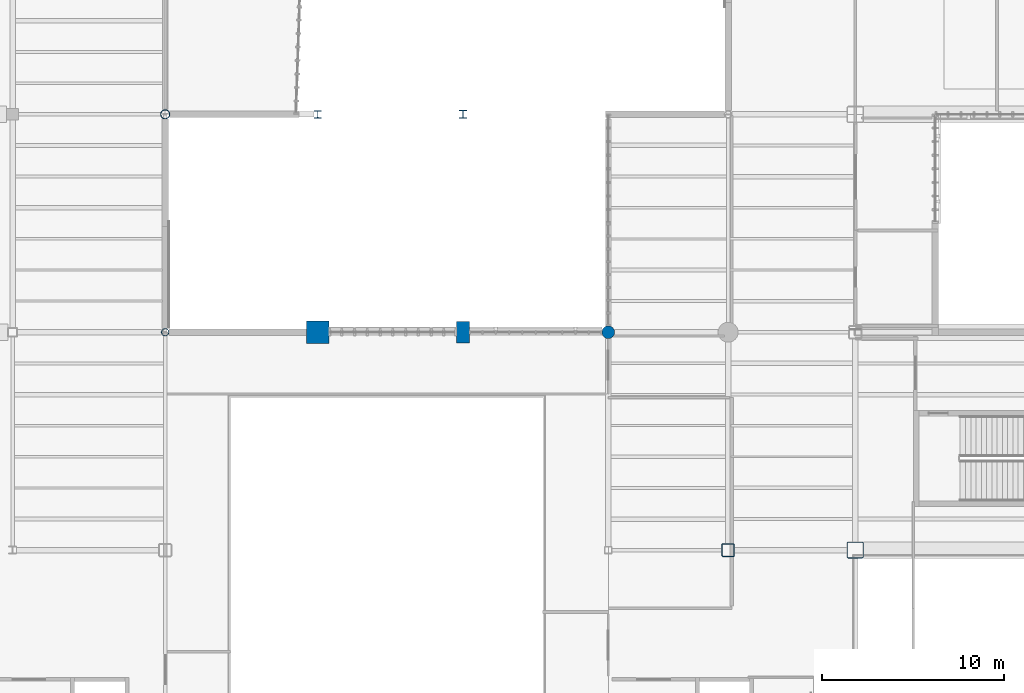
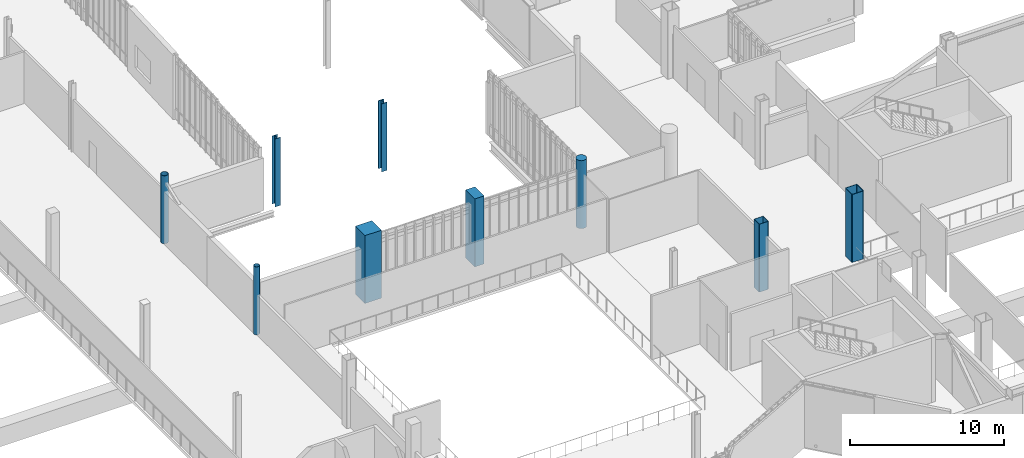
# One storey, part 7 of 127: 9 columns.
"""IFC4 building model written with IfcOpenShell, lengths in metres."""

from ifc_helpers import new_model, si_unit, direction, frame, origin, origin_2d, place, context, subcontext, project, spatial, rectangle, hollow_rectangle, circle, hollow_circle, i_section, extrude, material, material_profile, profile_set, type_object, element, save


model = new_model("IFC4")

# Units and contexts
model_context = context("Model", 3, precision=1e-05, world=origin(), true_north=direction((0.0, 1.0)))
body_context = subcontext(model_context, "Body", "Model", "MODEL_VIEW")
ifc_project = project(units=[si_unit("LENGTHUNIT", "METRE"), si_unit("AREAUNIT", "SQUARE_METRE"), si_unit("VOLUMEUNIT", "CUBIC_METRE"), si_unit("PLANEANGLEUNIT", "RADIAN"), si_unit("MASSUNIT", "GRAM", prefix="KILO")], contexts=[model_context])

# Site, building, storey
site_placement = place(None, origin())
site = spatial("IfcSite", under=ifc_project, at=site_placement, CompositionType="ELEMENT")
building_placement = place(site_placement, origin())
building = spatial("IfcBuilding", under=site, at=building_placement, Name="Larkvane Passage Sports Hall", CompositionType="ELEMENT")
storey_placement = place(building_placement, frame((0.0, 0.0, 5.39990234375)))
storey = spatial("IfcBuildingStorey", under=building, at=storey_placement, Name="L01", CompositionType="ELEMENT", Elevation=5.39990234375)

# Columns
ifc_material_1 = material(Name="Concrete C40/50", Category="concrete")
ifc_material_profile_1 = material_profile(ifc_material_1, circle(Radius=0.35009765625, at=origin_2d()), Name="RC-CIR-700")
ifc_profile_set_1 = profile_set([ifc_material_profile_1], Name="Concrete C40/50")
column_type_1 = type_object("IfcColumnType", Name="COL-CIR-700", PredefinedType="COLUMN", material=ifc_profile_set_1)
column_1_placement = place(storey_placement, frame((118.0, 51.60009765625, 0.0), z_axis=(0.0, 0.0, 1.0), x_axis=(1.0, 0.0, 0.0)))
element("IfcColumn", 1, at=column_1_placement, inside=storey, type_object=column_type_1, Name="Column 16/G L01", PredefinedType="COLUMN", context=body_context, shape_type="SweptSolid", body=[
    extrude(circle(Radius=0.35009765625, at=origin_2d()), origin(), (0.0, 0.0, 1.0), 5.400146484375),
])
ifc_material_2 = material(Name="Concrete C50/60", Category="concrete")
ifc_material_profile_2 = material_profile(ifc_material_2, rectangle(XDim=1.25, YDim=1.25, at=origin_2d()), Name="RC-COL-1250x1250")
ifc_profile_set_2 = profile_set([ifc_material_profile_2], Name="Concrete C50/60")
column_type_2 = type_object("IfcColumnType", Name="COL-RC-1250", PredefinedType="COLUMN", material=ifc_profile_set_2)
column_2_placement = place(storey_placement, frame((102.0, 51.60009765625, 0.0), z_axis=(0.0, 0.0, 1.0), x_axis=(1.0, 0.0, 0.0)))
element("IfcColumn", 2, at=column_2_placement, inside=storey, type_object=column_type_2, Name="Column 14/G L01", PredefinedType="COLUMN", context=body_context, shape_type="SweptSolid", body=[
    extrude(rectangle(XDim=1.25, YDim=1.25, at=origin_2d()), origin(), (0.0, 0.0, 1.0), 5.400146484375),
])
ifc_material_profile_3 = material_profile(ifc_material_2, rectangle(XDim=0.699951171875, YDim=1.199951171875, at=origin_2d()), Name="RC-COL-700x1200")
ifc_profile_set_3 = profile_set([ifc_material_profile_3], Name="Concrete C50/60")
column_type_3 = type_object("IfcColumnType", Name="COL-RC-700x1200", PredefinedType="COLUMN", material=ifc_profile_set_3)
column_3_placement = place(storey_placement, frame((110.0, 51.60009765625, 0.0), z_axis=(0.0, 0.0, 1.0), x_axis=(1.0, 0.0, 0.0)))
element("IfcColumn", 3, at=column_3_placement, inside=storey, type_object=column_type_3, Name="Column 15/G L01", PredefinedType="COLUMN", context=body_context, shape_type="SweptSolid", body=[
    extrude(rectangle(XDim=0.699951171875, YDim=1.199951171875, at=origin_2d()), origin(), (0.0, 0.0, 1.0), 5.400146484375),
])
ifc_material_3 = material(Name="Steel S460N", Category="steel")
ifc_material_profile_4 = material_profile(ifc_material_3, hollow_rectangle(XDim=0.699951171875, YDim=0.699951171875, WallThickness=0.028076171875, InnerFilletRadius=0.028076171875, OuterFilletRadius=0.055908203125, at=origin_2d()), Name="BOX-700x700x28")
ifc_profile_set_4 = profile_set([ifc_material_profile_4], Name="Steel S460N")
column_type_4 = type_object("IfcColumnType", Name="COL-STL-BOX700", PredefinedType="COLUMN", material=ifc_profile_set_4)
column_4_placement = place(storey_placement, frame((124.60009765625, 39.60009765625, 0.0), z_axis=(0.0, 0.0, 1.0), x_axis=(1.0, 0.0, 0.0)))
element("IfcColumn", 4, at=column_4_placement, inside=storey, type_object=column_type_4, Name="Column 17/F L01", PredefinedType="COLUMN", context=body_context, shape_type="SweptSolid", body=[
    extrude(hollow_rectangle(XDim=0.699951171875, YDim=0.699951171875, WallThickness=0.028076171875, InnerFilletRadius=0.028076171875, OuterFilletRadius=0.055908203125, at=origin_2d()), origin(), (0.0, 0.0, 1.0), 5.400146484375),
])
ifc_material_profile_5 = material_profile(ifc_material_3, hollow_rectangle(XDim=0.89990234375, YDim=0.89990234375, WallThickness=0.035888671875, InnerFilletRadius=0.035888671875, OuterFilletRadius=0.072021484375, at=origin_2d()), Name="BOX-900x900x36")
ifc_profile_set_5 = profile_set([ifc_material_profile_5], Name="Steel S460N")
column_type_5 = type_object("IfcColumnType", Name="COL-STL-BOX900", PredefinedType="COLUMN", material=ifc_profile_set_5)
column_5_placement = place(storey_placement, frame((131.60009765625, 39.60009765625, 0.0), z_axis=(0.0, 0.0, 1.0), x_axis=(1.0, 0.0, 0.0)))
element("IfcColumn", 5, at=column_5_placement, inside=storey, type_object=column_type_5, Name="Column 18/F L01", PredefinedType="COLUMN", context=body_context, shape_type="SweptSolid", body=[
    extrude(hollow_rectangle(XDim=0.89990234375, YDim=0.89990234375, WallThickness=0.035888671875, InnerFilletRadius=0.035888671875, OuterFilletRadius=0.072021484375, at=origin_2d()), origin(), (0.0, 0.0, 1.0), 5.400146484375),
])
ifc_material_4 = material(Name="Steel S355JR", Category="steel")
ifc_material_profile_6 = material_profile(ifc_material_4, hollow_circle(Radius=0.203125, WallThickness=0.01611328125, at=origin_2d()), Name="CHS-406.4x16.0")
ifc_profile_set_6 = profile_set([ifc_material_profile_6], Name="Steel S355JR")
column_type_6 = type_object("IfcColumnType", Name="COL-STL-CHS406", PredefinedType="COLUMN", material=ifc_profile_set_6)
column_6_placement = place(storey_placement, frame((93.60009765625, 51.60009765625, 0.0), z_axis=(0.0, 0.0, 1.0), x_axis=(1.0, 0.0, 0.0)))
element("IfcColumn", 6, at=column_6_placement, inside=storey, type_object=column_type_6, Name="Column 13/G L01", PredefinedType="COLUMN", context=body_context, shape_type="SweptSolid", body=[
    extrude(hollow_circle(Radius=0.203125, WallThickness=0.01611328125, at=origin_2d()), origin(), (0.0, 0.0, 1.0), 5.400146484375),
])
ifc_material_profile_7 = material_profile(ifc_material_3, hollow_circle(Radius=0.25390625, WallThickness=0.01904296875, at=origin_2d()), Name="CHS-508.0x19.0")
ifc_profile_set_7 = profile_set([ifc_material_profile_7], Name="Steel S460N")
column_type_7 = type_object("IfcColumnType", Name="COL-STL-CHS508", PredefinedType="COLUMN", material=ifc_profile_set_7)
column_7_placement = place(storey_placement, frame((93.60009765625, 63.60009765625, 0.0), z_axis=(0.0, 0.0, 1.0), x_axis=(1.0, 0.0, 0.0)))
element("IfcColumn", 7, at=column_7_placement, inside=storey, type_object=column_type_7, Name="Column 13/H L01", PredefinedType="COLUMN", context=body_context, shape_type="SweptSolid", body=[
    extrude(hollow_circle(Radius=0.25390625, WallThickness=0.01904296875, at=origin_2d()), origin(), (0.0, 0.0, 1.0), 5.400146484375),
])
ifc_material_profile_8 = material_profile(ifc_material_3, i_section(OverallWidth=0.405029296875, OverallDepth=0.4140625, WebThickness=0.01806640625, FlangeThickness=0.028076171875, FilletRadius=0.02197265625, at=origin_2d()), Name="H-414x405x18x28")
ifc_profile_set_8 = profile_set([ifc_material_profile_8], Name="Steel S460N")
column_type_8 = type_object("IfcColumnType", Name="COL-STL-H414", PredefinedType="COLUMN", material=ifc_profile_set_8)
column_8_placement = place(storey_placement, frame((102.0, 63.60009765625, 0.0), z_axis=(0.0, 0.0, 1.0), x_axis=(1.0, 0.0, 0.0)))
element("IfcColumn", 8, at=column_8_placement, inside=storey, type_object=column_type_8, Name="Column 14/H L01", PredefinedType="COLUMN", context=body_context, shape_type="SweptSolid", body=[
    extrude(i_section(OverallWidth=0.405029296875, OverallDepth=0.4140625, WebThickness=0.01806640625, FlangeThickness=0.028076171875, FilletRadius=0.02197265625, at=origin_2d()), origin(), (0.0, 0.0, 1.0), 5.400146484375),
])
ifc_material_profile_9 = material_profile(ifc_material_3, i_section(OverallWidth=0.4169921875, OverallDepth=0.4580078125, WebThickness=0.030029296875, FlangeThickness=0.0400390625, FilletRadius=0.02197265625, at=origin_2d()), Name="H-458x417x30x40")
ifc_profile_set_9 = profile_set([ifc_material_profile_9], Name="Steel S460N")
column_type_9 = type_object("IfcColumnType", Name="COL-STL-H458", PredefinedType="COLUMN", material=ifc_profile_set_9)
column_9_placement = place(storey_placement, frame((110.0, 63.60009765625, 0.0), z_axis=(0.0, 0.0, 1.0), x_axis=(1.0, 0.0, 0.0)))
element("IfcColumn", 9, at=column_9_placement, inside=storey, type_object=column_type_9, Name="Column 15/H L01", PredefinedType="COLUMN", context=body_context, shape_type="SweptSolid", body=[
    extrude(i_section(OverallWidth=0.4169921875, OverallDepth=0.4580078125, WebThickness=0.030029296875, FlangeThickness=0.0400390625, FilletRadius=0.02197265625, at=origin_2d()), origin(), (0.0, 0.0, 1.0), 5.400146484375),
])

save(model, "model.ifc")
